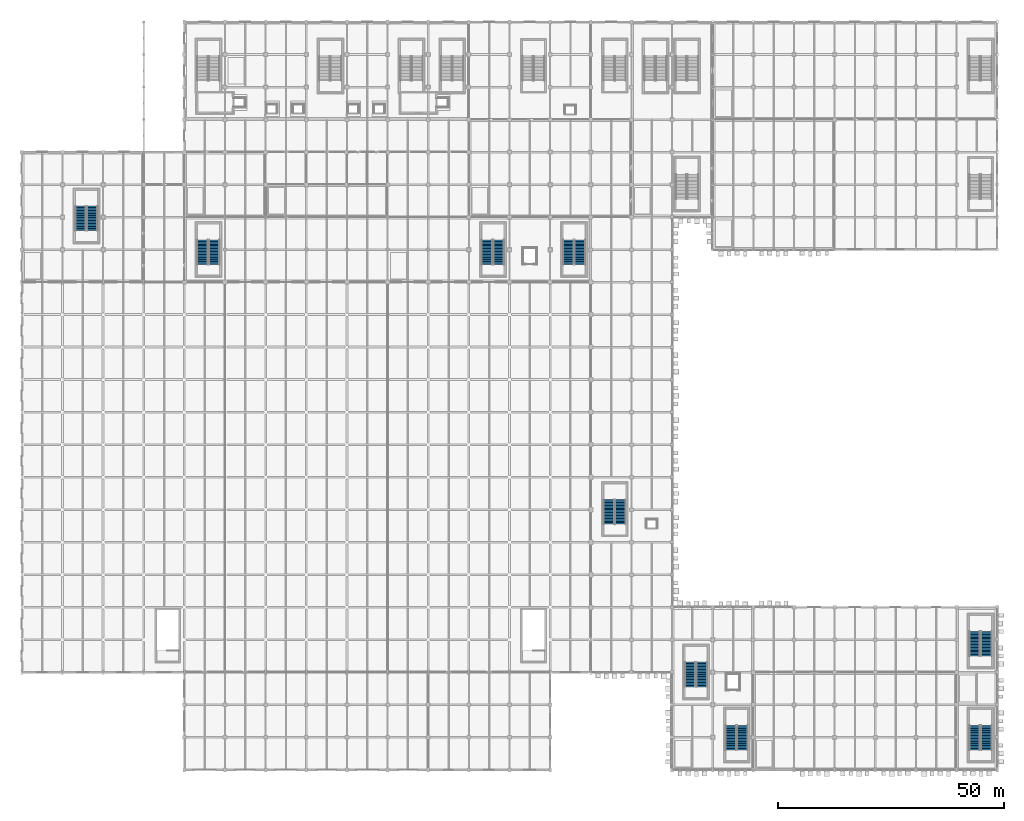
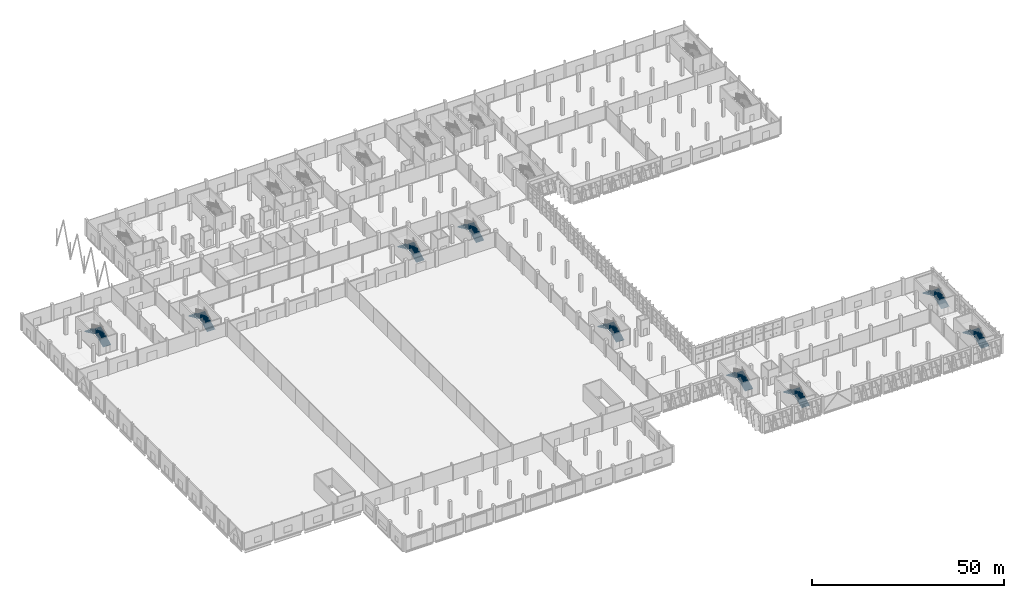
# One storey, part 101 of 137: 18 stair flights, 9 elements without a shape of their own.
"""IFC4 building model written with IfcOpenShell, lengths in metres."""

from ifc_helpers import new_model, si_unit, direction, frame, origin, place, context, subcontext, project, spatial, polyline, outline, extrude, material, type_object, element, aggregate, save


model = new_model("IFC4")

# Units and contexts
model_context = context("Model", 3, precision=1e-05, world=origin(), true_north=direction((0.0, 1.0)))
body_context = subcontext(model_context, "Body", "Model", "MODEL_VIEW")
ifc_project = project(units=[si_unit("LENGTHUNIT", "METRE"), si_unit("AREAUNIT", "SQUARE_METRE"), si_unit("VOLUMEUNIT", "CUBIC_METRE"), si_unit("PLANEANGLEUNIT", "RADIAN"), si_unit("MASSUNIT", "GRAM", prefix="KILO")], contexts=[model_context])

# Site, building, storey
site_placement = place(None, origin())
site = spatial("IfcSite", under=ifc_project, at=site_placement, CompositionType="ELEMENT")
building_placement = place(site_placement, origin())
building = spatial("IfcBuilding", under=site, at=building_placement, Name="Celestram Park Convention Centre", CompositionType="ELEMENT")
storey_placement = place(building_placement, origin())
storey = spatial("IfcBuildingStorey", under=building, at=storey_placement, Name="L00", CompositionType="ELEMENT", Elevation=0.0)

# Stair, stair flights
ifc_material = material(Name="Precast Concrete C40/50", Category="concrete")
stair_type = type_object("IfcStairType", Name="ARC-STR-DOG54", PredefinedType="HALF_TURN_STAIR", material=ifc_material)
stair_1_placement = place(storey_placement, origin())
stair_1 = element("IfcStair", 1, at=stair_1_placement, inside=storey, type_object=stair_type, Name="L00 Core C3 stair ST-03", PredefinedType="HALF_TURN_STAIR")
stair_flight_type = type_object("IfcStairFlightType", Name="ARC-FLT-18R", PredefinedType="STRAIGHT", material=ifc_material)
stair_flight_1_placement = place(storey_placement, frame((105.60009765625, 111.89990234375, 0.0), z_axis=(0.0, 0.0, 1.0), x_axis=(0.0, 1.0, 0.0)))
stair_flight_1 = element("IfcStairFlight", 2, at=stair_flight_1_placement, type_object=stair_flight_type, Name="ST-03 flight 1", NumberOfRisers=18, NumberOfTreads=17, PredefinedType="STRAIGHT", RiserHeight=0.15, TreadLength=0.32, context=body_context, shape_type="SweptSolid", body=[
    extrude(outline(polyline([(0.0, 0.0), (0.0, 0.14990234375), (0.320068359375, 0.14990234375), (0.320068359375, 0.300048828125), (0.639892578125, 0.300048828125), (0.639892578125, 0.449951171875), (0.9599609375, 0.449951171875), (0.9599609375, 0.60009765625), (1.280029296875, 0.60009765625), (1.280029296875, 0.75), (1.60009765625, 0.75), (1.60009765625, 0.89990234375), (1.919921875, 0.89990234375), (1.919921875, 1.050048828125), (2.239990234375, 1.050048828125), (2.239990234375, 1.199951171875), (2.56005859375, 1.199951171875), (2.56005859375, 1.35009765625), (2.8798828125, 1.35009765625), (2.8798828125, 1.5), (3.199951171875, 1.5), (3.199951171875, 1.64990234375), (3.52001953125, 1.64990234375), (3.52001953125, 1.800048828125), (3.840087890625, 1.800048828125), (3.840087890625, 1.949951171875), (4.159912109375, 1.949951171875), (4.159912109375, 2.10009765625), (4.47998046875, 2.10009765625), (4.47998046875, 2.25), (4.800048828125, 2.25), (4.800048828125, 2.39990234375), (5.1201171875, 2.39990234375), (5.1201171875, 2.550048828125), (5.43994140625, 2.550048828125), (5.43994140625, 2.699951171875), (5.43994140625, 2.384521484375), (0.353271484375, 0.0), (0.0, 0.0)])), frame((0.0, 1.199951171875, 0.0), z_axis=(0.0, -1.0, 0.0), x_axis=(1.0, 0.0, 0.0)), (0.0, 0.0, 1.0), 2.39990234375),
])
stair_flight_2_placement = place(storey_placement, frame((103.0400390625, 117.340087890625, 2.699951171875), z_axis=(0.0, 0.0, 1.0), x_axis=(0.0, -1.0, 0.0)))
stair_flight_2 = element("IfcStairFlight", 3, at=stair_flight_2_placement, type_object=stair_flight_type, Name="ST-03 flight 2", NumberOfRisers=18, NumberOfTreads=17, PredefinedType="STRAIGHT", RiserHeight=0.15, TreadLength=0.32, context=body_context, shape_type="SweptSolid", body=[
    extrude(outline(polyline([(0.0, 0.0), (0.0, 0.14990234375), (0.320068359375, 0.14990234375), (0.320068359375, 0.300048828125), (0.639892578125, 0.300048828125), (0.639892578125, 0.449951171875), (0.9599609375, 0.449951171875), (0.9599609375, 0.60009765625), (1.280029296875, 0.60009765625), (1.280029296875, 0.75), (1.60009765625, 0.75), (1.60009765625, 0.89990234375), (1.919921875, 0.89990234375), (1.919921875, 1.050048828125), (2.239990234375, 1.050048828125), (2.239990234375, 1.199951171875), (2.56005859375, 1.199951171875), (2.56005859375, 1.35009765625), (2.8798828125, 1.35009765625), (2.8798828125, 1.5), (3.199951171875, 1.5), (3.199951171875, 1.64990234375), (3.52001953125, 1.64990234375), (3.52001953125, 1.800048828125), (3.840087890625, 1.800048828125), (3.840087890625, 1.949951171875), (4.159912109375, 1.949951171875), (4.159912109375, 2.10009765625), (4.47998046875, 2.10009765625), (4.47998046875, 2.25), (4.800048828125, 2.25), (4.800048828125, 2.39990234375), (5.1201171875, 2.39990234375), (5.1201171875, 2.550048828125), (5.43994140625, 2.550048828125), (5.43994140625, 2.699951171875), (5.43994140625, 2.384521484375), (0.353271484375, 0.0), (0.0, 0.0)])), frame((0.0, 1.199951171875, 0.0), z_axis=(0.0, -1.0, 0.0), x_axis=(1.0, 0.0, 0.0)), (0.0, 0.0, 1.0), 2.39990234375),
])
aggregate(stair_1, [stair_flight_1, stair_flight_2])

stair_2_placement = place(storey_placement, origin())
stair_2 = element("IfcStair", 4, at=stair_2_placement, inside=storey, type_object=stair_type, Name="L00 Core C4 stair ST-04", PredefinedType="HALF_TURN_STAIR")
stair_flight_3_placement = place(storey_placement, frame((132.60009765625, 54.39990234375, 0.0), z_axis=(0.0, 0.0, 1.0), x_axis=(0.0, 1.0, 0.0)))
stair_flight_3 = element("IfcStairFlight", 5, at=stair_flight_3_placement, type_object=stair_flight_type, Name="ST-04 flight 1", NumberOfRisers=18, NumberOfTreads=17, PredefinedType="STRAIGHT", RiserHeight=0.15, TreadLength=0.32, context=body_context, shape_type="SweptSolid", body=[
    extrude(outline(polyline([(0.0, 0.0), (0.0, 0.14990234375), (0.320068359375, 0.14990234375), (0.320068359375, 0.300048828125), (0.639892578125, 0.300048828125), (0.639892578125, 0.449951171875), (0.9599609375, 0.449951171875), (0.9599609375, 0.60009765625), (1.280029296875, 0.60009765625), (1.280029296875, 0.75), (1.60009765625, 0.75), (1.60009765625, 0.89990234375), (1.919921875, 0.89990234375), (1.919921875, 1.050048828125), (2.239990234375, 1.050048828125), (2.239990234375, 1.199951171875), (2.56005859375, 1.199951171875), (2.56005859375, 1.35009765625), (2.8798828125, 1.35009765625), (2.8798828125, 1.5), (3.199951171875, 1.5), (3.199951171875, 1.64990234375), (3.52001953125, 1.64990234375), (3.52001953125, 1.800048828125), (3.840087890625, 1.800048828125), (3.840087890625, 1.949951171875), (4.159912109375, 1.949951171875), (4.159912109375, 2.10009765625), (4.47998046875, 2.10009765625), (4.47998046875, 2.25), (4.800048828125, 2.25), (4.800048828125, 2.39990234375), (5.1201171875, 2.39990234375), (5.1201171875, 2.550048828125), (5.43994140625, 2.550048828125), (5.43994140625, 2.699951171875), (5.43994140625, 2.384521484375), (0.353271484375, 0.0), (0.0, 0.0)])), frame((0.0, 1.199951171875, 0.0), z_axis=(0.0, -1.0, 0.0), x_axis=(1.0, 0.0, 0.0)), (0.0, 0.0, 1.0), 2.39990234375),
])
stair_flight_4_placement = place(storey_placement, frame((130.0400390625, 59.840087890625, 2.699951171875), z_axis=(0.0, 0.0, 1.0), x_axis=(0.0, -1.0, 0.0)))
stair_flight_4 = element("IfcStairFlight", 6, at=stair_flight_4_placement, type_object=stair_flight_type, Name="ST-04 flight 2", NumberOfRisers=18, NumberOfTreads=17, PredefinedType="STRAIGHT", RiserHeight=0.15, TreadLength=0.32, context=body_context, shape_type="SweptSolid", body=[
    extrude(outline(polyline([(0.0, 0.0), (0.0, 0.14990234375), (0.320068359375, 0.14990234375), (0.320068359375, 0.300048828125), (0.639892578125, 0.300048828125), (0.639892578125, 0.449951171875), (0.9599609375, 0.449951171875), (0.9599609375, 0.60009765625), (1.280029296875, 0.60009765625), (1.280029296875, 0.75), (1.60009765625, 0.75), (1.60009765625, 0.89990234375), (1.919921875, 0.89990234375), (1.919921875, 1.050048828125), (2.239990234375, 1.050048828125), (2.239990234375, 1.199951171875), (2.56005859375, 1.199951171875), (2.56005859375, 1.35009765625), (2.8798828125, 1.35009765625), (2.8798828125, 1.5), (3.199951171875, 1.5), (3.199951171875, 1.64990234375), (3.52001953125, 1.64990234375), (3.52001953125, 1.800048828125), (3.840087890625, 1.800048828125), (3.840087890625, 1.949951171875), (4.159912109375, 1.949951171875), (4.159912109375, 2.10009765625), (4.47998046875, 2.10009765625), (4.47998046875, 2.25), (4.800048828125, 2.25), (4.800048828125, 2.39990234375), (5.1201171875, 2.39990234375), (5.1201171875, 2.550048828125), (5.43994140625, 2.550048828125), (5.43994140625, 2.699951171875), (5.43994140625, 2.384521484375), (0.353271484375, 0.0), (0.0, 0.0)])), frame((0.0, 1.199951171875, 0.0), z_axis=(0.0, -1.0, 0.0), x_axis=(1.0, 0.0, 0.0)), (0.0, 0.0, 1.0), 2.39990234375),
])
aggregate(stair_2, [stair_flight_3, stair_flight_4])

stair_3_placement = place(storey_placement, origin())
stair_3 = element("IfcStair", 7, at=stair_3_placement, inside=storey, type_object=stair_type, Name="L00 Core C6 stair ST-06", PredefinedType="HALF_TURN_STAIR")
stair_flight_5_placement = place(storey_placement, frame((150.60009765625, 18.39990234375, 0.0), z_axis=(0.0, 0.0, 1.0), x_axis=(0.0, 1.0, 0.0)))
stair_flight_5 = element("IfcStairFlight", 8, at=stair_flight_5_placement, type_object=stair_flight_type, Name="ST-06 flight 1", NumberOfRisers=18, NumberOfTreads=17, PredefinedType="STRAIGHT", RiserHeight=0.15, TreadLength=0.32, context=body_context, shape_type="SweptSolid", body=[
    extrude(outline(polyline([(0.0, 0.0), (0.0, 0.14990234375), (0.320068359375, 0.14990234375), (0.320068359375, 0.300048828125), (0.639892578125, 0.300048828125), (0.639892578125, 0.449951171875), (0.9599609375, 0.449951171875), (0.9599609375, 0.60009765625), (1.280029296875, 0.60009765625), (1.280029296875, 0.75), (1.60009765625, 0.75), (1.60009765625, 0.89990234375), (1.919921875, 0.89990234375), (1.919921875, 1.050048828125), (2.239990234375, 1.050048828125), (2.239990234375, 1.199951171875), (2.56005859375, 1.199951171875), (2.56005859375, 1.35009765625), (2.8798828125, 1.35009765625), (2.8798828125, 1.5), (3.199951171875, 1.5), (3.199951171875, 1.64990234375), (3.52001953125, 1.64990234375), (3.52001953125, 1.800048828125), (3.840087890625, 1.800048828125), (3.840087890625, 1.949951171875), (4.159912109375, 1.949951171875), (4.159912109375, 2.10009765625), (4.47998046875, 2.10009765625), (4.47998046875, 2.25), (4.800048828125, 2.25), (4.800048828125, 2.39990234375), (5.1201171875, 2.39990234375), (5.1201171875, 2.550048828125), (5.43994140625, 2.550048828125), (5.43994140625, 2.699951171875), (5.43994140625, 2.384521484375), (0.353271484375, 0.0), (0.0, 0.0)])), frame((0.0, 1.199951171875, 0.0), z_axis=(0.0, -1.0, 0.0), x_axis=(1.0, 0.0, 0.0)), (0.0, 0.0, 1.0), 2.39990234375),
])
stair_flight_6_placement = place(storey_placement, frame((148.0400390625, 23.840087890625, 2.699951171875), z_axis=(0.0, 0.0, 1.0), x_axis=(0.0, -1.0, 0.0)))
stair_flight_6 = element("IfcStairFlight", 9, at=stair_flight_6_placement, type_object=stair_flight_type, Name="ST-06 flight 2", NumberOfRisers=18, NumberOfTreads=17, PredefinedType="STRAIGHT", RiserHeight=0.15, TreadLength=0.32, context=body_context, shape_type="SweptSolid", body=[
    extrude(outline(polyline([(0.0, 0.0), (0.0, 0.14990234375), (0.320068359375, 0.14990234375), (0.320068359375, 0.300048828125), (0.639892578125, 0.300048828125), (0.639892578125, 0.449951171875), (0.9599609375, 0.449951171875), (0.9599609375, 0.60009765625), (1.280029296875, 0.60009765625), (1.280029296875, 0.75), (1.60009765625, 0.75), (1.60009765625, 0.89990234375), (1.919921875, 0.89990234375), (1.919921875, 1.050048828125), (2.239990234375, 1.050048828125), (2.239990234375, 1.199951171875), (2.56005859375, 1.199951171875), (2.56005859375, 1.35009765625), (2.8798828125, 1.35009765625), (2.8798828125, 1.5), (3.199951171875, 1.5), (3.199951171875, 1.64990234375), (3.52001953125, 1.64990234375), (3.52001953125, 1.800048828125), (3.840087890625, 1.800048828125), (3.840087890625, 1.949951171875), (4.159912109375, 1.949951171875), (4.159912109375, 2.10009765625), (4.47998046875, 2.10009765625), (4.47998046875, 2.25), (4.800048828125, 2.25), (4.800048828125, 2.39990234375), (5.1201171875, 2.39990234375), (5.1201171875, 2.550048828125), (5.43994140625, 2.550048828125), (5.43994140625, 2.699951171875), (5.43994140625, 2.384521484375), (0.353271484375, 0.0), (0.0, 0.0)])), frame((0.0, 1.199951171875, 0.0), z_axis=(0.0, -1.0, 0.0), x_axis=(1.0, 0.0, 0.0)), (0.0, 0.0, 1.0), 2.39990234375),
])
aggregate(stair_3, [stair_flight_5, stair_flight_6])

stair_4_placement = place(storey_placement, origin())
stair_4 = element("IfcStair", 10, at=stair_4_placement, inside=storey, type_object=stair_type, Name="L00 Core S11 stair ST-11", PredefinedType="HALF_TURN_STAIR")
stair_flight_7_placement = place(storey_placement, frame((213.60009765625, 4.39990234375, 0.0), z_axis=(0.0, 0.0, 1.0), x_axis=(0.0, 1.0, 0.0)))
stair_flight_7 = element("IfcStairFlight", 11, at=stair_flight_7_placement, type_object=stair_flight_type, Name="ST-11 flight 1", NumberOfRisers=18, NumberOfTreads=17, PredefinedType="STRAIGHT", RiserHeight=0.15, TreadLength=0.32, context=body_context, shape_type="SweptSolid", body=[
    extrude(outline(polyline([(0.0, 0.0), (0.0, 0.14990234375), (0.320068359375, 0.14990234375), (0.320068359375, 0.300048828125), (0.639892578125, 0.300048828125), (0.639892578125, 0.449951171875), (0.9599609375, 0.449951171875), (0.9599609375, 0.60009765625), (1.280029296875, 0.60009765625), (1.280029296875, 0.75), (1.60009765625, 0.75), (1.60009765625, 0.89990234375), (1.919921875, 0.89990234375), (1.919921875, 1.050048828125), (2.239990234375, 1.050048828125), (2.239990234375, 1.199951171875), (2.56005859375, 1.199951171875), (2.56005859375, 1.35009765625), (2.8798828125, 1.35009765625), (2.8798828125, 1.5), (3.199951171875, 1.5), (3.199951171875, 1.64990234375), (3.52001953125, 1.64990234375), (3.52001953125, 1.800048828125), (3.840087890625, 1.800048828125), (3.840087890625, 1.949951171875), (4.159912109375, 1.949951171875), (4.159912109375, 2.10009765625), (4.47998046875, 2.10009765625), (4.47998046875, 2.25), (4.800048828125, 2.25), (4.800048828125, 2.39990234375), (5.1201171875, 2.39990234375), (5.1201171875, 2.550048828125), (5.43994140625, 2.550048828125), (5.43994140625, 2.699951171875), (5.43994140625, 2.384521484375), (0.353271484375, 0.0), (0.0, 0.0)])), frame((0.0, 1.199951171875, 0.0), z_axis=(0.0, -1.0, 0.0), x_axis=(1.0, 0.0, 0.0)), (0.0, 0.0, 1.0), 2.39990234375),
])
stair_flight_8_placement = place(storey_placement, frame((211.0400390625, 9.840087890625, 2.699951171875), z_axis=(0.0, 0.0, 1.0), x_axis=(0.0, -1.0, 0.0)))
stair_flight_8 = element("IfcStairFlight", 12, at=stair_flight_8_placement, type_object=stair_flight_type, Name="ST-11 flight 2", NumberOfRisers=18, NumberOfTreads=17, PredefinedType="STRAIGHT", RiserHeight=0.15, TreadLength=0.32, context=body_context, shape_type="SweptSolid", body=[
    extrude(outline(polyline([(0.0, 0.0), (0.0, 0.14990234375), (0.320068359375, 0.14990234375), (0.320068359375, 0.300048828125), (0.639892578125, 0.300048828125), (0.639892578125, 0.449951171875), (0.9599609375, 0.449951171875), (0.9599609375, 0.60009765625), (1.280029296875, 0.60009765625), (1.280029296875, 0.75), (1.60009765625, 0.75), (1.60009765625, 0.89990234375), (1.919921875, 0.89990234375), (1.919921875, 1.050048828125), (2.239990234375, 1.050048828125), (2.239990234375, 1.199951171875), (2.56005859375, 1.199951171875), (2.56005859375, 1.35009765625), (2.8798828125, 1.35009765625), (2.8798828125, 1.5), (3.199951171875, 1.5), (3.199951171875, 1.64990234375), (3.52001953125, 1.64990234375), (3.52001953125, 1.800048828125), (3.840087890625, 1.800048828125), (3.840087890625, 1.949951171875), (4.159912109375, 1.949951171875), (4.159912109375, 2.10009765625), (4.47998046875, 2.10009765625), (4.47998046875, 2.25), (4.800048828125, 2.25), (4.800048828125, 2.39990234375), (5.1201171875, 2.39990234375), (5.1201171875, 2.550048828125), (5.43994140625, 2.550048828125), (5.43994140625, 2.699951171875), (5.43994140625, 2.384521484375), (0.353271484375, 0.0), (0.0, 0.0)])), frame((0.0, 1.199951171875, 0.0), z_axis=(0.0, -1.0, 0.0), x_axis=(1.0, 0.0, 0.0)), (0.0, 0.0, 1.0), 2.39990234375),
])
aggregate(stair_4, [stair_flight_7, stair_flight_8])

stair_5_placement = place(storey_placement, origin())
stair_5 = element("IfcStair", 13, at=stair_5_placement, inside=storey, type_object=stair_type, Name="L00 Core S12 stair ST-12", PredefinedType="HALF_TURN_STAIR")
stair_flight_9_placement = place(storey_placement, frame((213.60009765625, 25.199951171875, 0.0), z_axis=(0.0, 0.0, 1.0), x_axis=(0.0, 1.0, 0.0)))
stair_flight_9 = element("IfcStairFlight", 14, at=stair_flight_9_placement, type_object=stair_flight_type, Name="ST-12 flight 1", NumberOfRisers=18, NumberOfTreads=17, PredefinedType="STRAIGHT", RiserHeight=0.15, TreadLength=0.32, context=body_context, shape_type="SweptSolid", body=[
    extrude(outline(polyline([(0.0, 0.0), (0.0, 0.14990234375), (0.320068359375, 0.14990234375), (0.320068359375, 0.300048828125), (0.639892578125, 0.300048828125), (0.639892578125, 0.449951171875), (0.9599609375, 0.449951171875), (0.9599609375, 0.60009765625), (1.280029296875, 0.60009765625), (1.280029296875, 0.75), (1.60009765625, 0.75), (1.60009765625, 0.89990234375), (1.919921875, 0.89990234375), (1.919921875, 1.050048828125), (2.239990234375, 1.050048828125), (2.239990234375, 1.199951171875), (2.56005859375, 1.199951171875), (2.56005859375, 1.35009765625), (2.8798828125, 1.35009765625), (2.8798828125, 1.5), (3.199951171875, 1.5), (3.199951171875, 1.64990234375), (3.52001953125, 1.64990234375), (3.52001953125, 1.800048828125), (3.840087890625, 1.800048828125), (3.840087890625, 1.949951171875), (4.159912109375, 1.949951171875), (4.159912109375, 2.10009765625), (4.47998046875, 2.10009765625), (4.47998046875, 2.25), (4.800048828125, 2.25), (4.800048828125, 2.39990234375), (5.1201171875, 2.39990234375), (5.1201171875, 2.550048828125), (5.43994140625, 2.550048828125), (5.43994140625, 2.699951171875), (5.43994140625, 2.384521484375), (0.353271484375, 0.0), (0.0, 0.0)])), frame((0.0, 1.199951171875, 0.0), z_axis=(0.0, -1.0, 0.0), x_axis=(1.0, 0.0, 0.0)), (0.0, 0.0, 1.0), 2.39990234375),
])
stair_flight_10_placement = place(storey_placement, frame((211.0400390625, 30.639892578125, 2.699951171875), z_axis=(0.0, 0.0, 1.0), x_axis=(0.0, -1.0, 0.0)))
stair_flight_10 = element("IfcStairFlight", 15, at=stair_flight_10_placement, type_object=stair_flight_type, Name="ST-12 flight 2", NumberOfRisers=18, NumberOfTreads=17, PredefinedType="STRAIGHT", RiserHeight=0.15, TreadLength=0.32, context=body_context, shape_type="SweptSolid", body=[
    extrude(outline(polyline([(0.0, 0.0), (0.0, 0.14990234375), (0.320068359375, 0.14990234375), (0.320068359375, 0.300048828125), (0.639892578125, 0.300048828125), (0.639892578125, 0.449951171875), (0.9599609375, 0.449951171875), (0.9599609375, 0.60009765625), (1.280029296875, 0.60009765625), (1.280029296875, 0.75), (1.60009765625, 0.75), (1.60009765625, 0.89990234375), (1.919921875, 0.89990234375), (1.919921875, 1.050048828125), (2.239990234375, 1.050048828125), (2.239990234375, 1.199951171875), (2.56005859375, 1.199951171875), (2.56005859375, 1.35009765625), (2.8798828125, 1.35009765625), (2.8798828125, 1.5), (3.199951171875, 1.5), (3.199951171875, 1.64990234375), (3.52001953125, 1.64990234375), (3.52001953125, 1.800048828125), (3.840087890625, 1.800048828125), (3.840087890625, 1.949951171875), (4.159912109375, 1.949951171875), (4.159912109375, 2.10009765625), (4.47998046875, 2.10009765625), (4.47998046875, 2.25), (4.800048828125, 2.25), (4.800048828125, 2.39990234375), (5.1201171875, 2.39990234375), (5.1201171875, 2.550048828125), (5.43994140625, 2.550048828125), (5.43994140625, 2.699951171875), (5.43994140625, 2.384521484375), (0.353271484375, 0.0), (0.0, 0.0)])), frame((0.0, 1.199951171875, 0.0), z_axis=(0.0, -1.0, 0.0), x_axis=(1.0, 0.0, 0.0)), (0.0, 0.0, 1.0), 2.39990234375),
])
aggregate(stair_5, [stair_flight_9, stair_flight_10])

stair_6_placement = place(storey_placement, origin())
stair_6 = element("IfcStair", 16, at=stair_6_placement, inside=storey, type_object=stair_type, Name="L00 Core S13 stair ST-13", PredefinedType="HALF_TURN_STAIR")
stair_flight_11_placement = place(storey_placement, frame((42.60009765625, 111.89990234375, 0.0), z_axis=(0.0, 0.0, 1.0), x_axis=(0.0, 1.0, 0.0)))
stair_flight_11 = element("IfcStairFlight", 17, at=stair_flight_11_placement, type_object=stair_flight_type, Name="ST-13 flight 1", NumberOfRisers=18, NumberOfTreads=17, PredefinedType="STRAIGHT", RiserHeight=0.15, TreadLength=0.32, context=body_context, shape_type="SweptSolid", body=[
    extrude(outline(polyline([(0.0, 0.0), (0.0, 0.14990234375), (0.320068359375, 0.14990234375), (0.320068359375, 0.300048828125), (0.639892578125, 0.300048828125), (0.639892578125, 0.449951171875), (0.9599609375, 0.449951171875), (0.9599609375, 0.60009765625), (1.280029296875, 0.60009765625), (1.280029296875, 0.75), (1.60009765625, 0.75), (1.60009765625, 0.89990234375), (1.919921875, 0.89990234375), (1.919921875, 1.050048828125), (2.239990234375, 1.050048828125), (2.239990234375, 1.199951171875), (2.56005859375, 1.199951171875), (2.56005859375, 1.35009765625), (2.8798828125, 1.35009765625), (2.8798828125, 1.5), (3.199951171875, 1.5), (3.199951171875, 1.64990234375), (3.52001953125, 1.64990234375), (3.52001953125, 1.800048828125), (3.840087890625, 1.800048828125), (3.840087890625, 1.949951171875), (4.159912109375, 1.949951171875), (4.159912109375, 2.10009765625), (4.47998046875, 2.10009765625), (4.47998046875, 2.25), (4.800048828125, 2.25), (4.800048828125, 2.39990234375), (5.1201171875, 2.39990234375), (5.1201171875, 2.550048828125), (5.43994140625, 2.550048828125), (5.43994140625, 2.699951171875), (5.43994140625, 2.384521484375), (0.353271484375, 0.0), (0.0, 0.0)])), frame((0.0, 1.199951171875, 0.0), z_axis=(0.0, -1.0, 0.0), x_axis=(1.0, 0.0, 0.0)), (0.0, 0.0, 1.0), 2.39990234375),
])
stair_flight_12_placement = place(storey_placement, frame((40.0400390625, 117.340087890625, 2.699951171875), z_axis=(0.0, 0.0, 1.0), x_axis=(0.0, -1.0, 0.0)))
stair_flight_12 = element("IfcStairFlight", 18, at=stair_flight_12_placement, type_object=stair_flight_type, Name="ST-13 flight 2", NumberOfRisers=18, NumberOfTreads=17, PredefinedType="STRAIGHT", RiserHeight=0.15, TreadLength=0.32, context=body_context, shape_type="SweptSolid", body=[
    extrude(outline(polyline([(0.0, 0.0), (0.0, 0.14990234375), (0.320068359375, 0.14990234375), (0.320068359375, 0.300048828125), (0.639892578125, 0.300048828125), (0.639892578125, 0.449951171875), (0.9599609375, 0.449951171875), (0.9599609375, 0.60009765625), (1.280029296875, 0.60009765625), (1.280029296875, 0.75), (1.60009765625, 0.75), (1.60009765625, 0.89990234375), (1.919921875, 0.89990234375), (1.919921875, 1.050048828125), (2.239990234375, 1.050048828125), (2.239990234375, 1.199951171875), (2.56005859375, 1.199951171875), (2.56005859375, 1.35009765625), (2.8798828125, 1.35009765625), (2.8798828125, 1.5), (3.199951171875, 1.5), (3.199951171875, 1.64990234375), (3.52001953125, 1.64990234375), (3.52001953125, 1.800048828125), (3.840087890625, 1.800048828125), (3.840087890625, 1.949951171875), (4.159912109375, 1.949951171875), (4.159912109375, 2.10009765625), (4.47998046875, 2.10009765625), (4.47998046875, 2.25), (4.800048828125, 2.25), (4.800048828125, 2.39990234375), (5.1201171875, 2.39990234375), (5.1201171875, 2.550048828125), (5.43994140625, 2.550048828125), (5.43994140625, 2.699951171875), (5.43994140625, 2.384521484375), (0.353271484375, 0.0), (0.0, 0.0)])), frame((0.0, 1.199951171875, 0.0), z_axis=(0.0, -1.0, 0.0), x_axis=(1.0, 0.0, 0.0)), (0.0, 0.0, 1.0), 2.39990234375),
])
aggregate(stair_6, [stair_flight_11, stair_flight_12])

stair_7_placement = place(storey_placement, origin())
stair_7 = element("IfcStair", 19, at=stair_7_placement, inside=storey, type_object=stair_type, Name="L00 Core S15 stair ST-15", PredefinedType="HALF_TURN_STAIR")
stair_flight_13_placement = place(storey_placement, frame((15.60009765625, 119.39990234375, 0.0), z_axis=(0.0, 0.0, 1.0), x_axis=(0.0, 1.0, 0.0)))
stair_flight_13 = element("IfcStairFlight", 20, at=stair_flight_13_placement, type_object=stair_flight_type, Name="ST-15 flight 1", NumberOfRisers=18, NumberOfTreads=17, PredefinedType="STRAIGHT", RiserHeight=0.15, TreadLength=0.32, context=body_context, shape_type="SweptSolid", body=[
    extrude(outline(polyline([(0.0, 0.0), (0.0, 0.14990234375), (0.320068359375, 0.14990234375), (0.320068359375, 0.300048828125), (0.639892578125, 0.300048828125), (0.639892578125, 0.449951171875), (0.9599609375, 0.449951171875), (0.9599609375, 0.60009765625), (1.280029296875, 0.60009765625), (1.280029296875, 0.75), (1.60009765625, 0.75), (1.60009765625, 0.89990234375), (1.919921875, 0.89990234375), (1.919921875, 1.050048828125), (2.239990234375, 1.050048828125), (2.239990234375, 1.199951171875), (2.56005859375, 1.199951171875), (2.56005859375, 1.35009765625), (2.8798828125, 1.35009765625), (2.8798828125, 1.5), (3.199951171875, 1.5), (3.199951171875, 1.64990234375), (3.52001953125, 1.64990234375), (3.52001953125, 1.800048828125), (3.840087890625, 1.800048828125), (3.840087890625, 1.949951171875), (4.159912109375, 1.949951171875), (4.159912109375, 2.10009765625), (4.47998046875, 2.10009765625), (4.47998046875, 2.25), (4.800048828125, 2.25), (4.800048828125, 2.39990234375), (5.1201171875, 2.39990234375), (5.1201171875, 2.550048828125), (5.43994140625, 2.550048828125), (5.43994140625, 2.699951171875), (5.43994140625, 2.384521484375), (0.353271484375, 0.0), (0.0, 0.0)])), frame((0.0, 1.199951171875, 0.0), z_axis=(0.0, -1.0, 0.0), x_axis=(1.0, 0.0, 0.0)), (0.0, 0.0, 1.0), 2.39990234375),
])
stair_flight_14_placement = place(storey_placement, frame((13.0400390625, 124.840087890625, 2.699951171875), z_axis=(0.0, 0.0, 1.0), x_axis=(0.0, -1.0, 0.0)))
stair_flight_14 = element("IfcStairFlight", 21, at=stair_flight_14_placement, type_object=stair_flight_type, Name="ST-15 flight 2", NumberOfRisers=18, NumberOfTreads=17, PredefinedType="STRAIGHT", RiserHeight=0.15, TreadLength=0.32, context=body_context, shape_type="SweptSolid", body=[
    extrude(outline(polyline([(0.0, 0.0), (0.0, 0.14990234375), (0.320068359375, 0.14990234375), (0.320068359375, 0.300048828125), (0.639892578125, 0.300048828125), (0.639892578125, 0.449951171875), (0.9599609375, 0.449951171875), (0.9599609375, 0.60009765625), (1.280029296875, 0.60009765625), (1.280029296875, 0.75), (1.60009765625, 0.75), (1.60009765625, 0.89990234375), (1.919921875, 0.89990234375), (1.919921875, 1.050048828125), (2.239990234375, 1.050048828125), (2.239990234375, 1.199951171875), (2.56005859375, 1.199951171875), (2.56005859375, 1.35009765625), (2.8798828125, 1.35009765625), (2.8798828125, 1.5), (3.199951171875, 1.5), (3.199951171875, 1.64990234375), (3.52001953125, 1.64990234375), (3.52001953125, 1.800048828125), (3.840087890625, 1.800048828125), (3.840087890625, 1.949951171875), (4.159912109375, 1.949951171875), (4.159912109375, 2.10009765625), (4.47998046875, 2.10009765625), (4.47998046875, 2.25), (4.800048828125, 2.25), (4.800048828125, 2.39990234375), (5.1201171875, 2.39990234375), (5.1201171875, 2.550048828125), (5.43994140625, 2.550048828125), (5.43994140625, 2.699951171875), (5.43994140625, 2.384521484375), (0.353271484375, 0.0), (0.0, 0.0)])), frame((0.0, 1.199951171875, 0.0), z_axis=(0.0, -1.0, 0.0), x_axis=(1.0, 0.0, 0.0)), (0.0, 0.0, 1.0), 2.39990234375),
])
aggregate(stair_7, [stair_flight_13, stair_flight_14])

stair_8_placement = place(storey_placement, origin())
stair_8 = element("IfcStair", 22, at=stair_8_placement, inside=storey, type_object=stair_type, Name="L00 Core S20 stair ST-20", PredefinedType="HALF_TURN_STAIR")
stair_flight_15_placement = place(storey_placement, frame((123.60009765625, 111.89990234375, 0.0), z_axis=(0.0, 0.0, 1.0), x_axis=(0.0, 1.0, 0.0)))
stair_flight_15 = element("IfcStairFlight", 23, at=stair_flight_15_placement, type_object=stair_flight_type, Name="ST-20 flight 1", NumberOfRisers=18, NumberOfTreads=17, PredefinedType="STRAIGHT", RiserHeight=0.15, TreadLength=0.32, context=body_context, shape_type="SweptSolid", body=[
    extrude(outline(polyline([(0.0, 0.0), (0.0, 0.14990234375), (0.320068359375, 0.14990234375), (0.320068359375, 0.300048828125), (0.639892578125, 0.300048828125), (0.639892578125, 0.449951171875), (0.9599609375, 0.449951171875), (0.9599609375, 0.60009765625), (1.280029296875, 0.60009765625), (1.280029296875, 0.75), (1.60009765625, 0.75), (1.60009765625, 0.89990234375), (1.919921875, 0.89990234375), (1.919921875, 1.050048828125), (2.239990234375, 1.050048828125), (2.239990234375, 1.199951171875), (2.56005859375, 1.199951171875), (2.56005859375, 1.35009765625), (2.8798828125, 1.35009765625), (2.8798828125, 1.5), (3.199951171875, 1.5), (3.199951171875, 1.64990234375), (3.52001953125, 1.64990234375), (3.52001953125, 1.800048828125), (3.840087890625, 1.800048828125), (3.840087890625, 1.949951171875), (4.159912109375, 1.949951171875), (4.159912109375, 2.10009765625), (4.47998046875, 2.10009765625), (4.47998046875, 2.25), (4.800048828125, 2.25), (4.800048828125, 2.39990234375), (5.1201171875, 2.39990234375), (5.1201171875, 2.550048828125), (5.43994140625, 2.550048828125), (5.43994140625, 2.699951171875), (5.43994140625, 2.384521484375), (0.353271484375, 0.0), (0.0, 0.0)])), frame((0.0, 1.199951171875, 0.0), z_axis=(0.0, -1.0, 0.0), x_axis=(1.0, 0.0, 0.0)), (0.0, 0.0, 1.0), 2.39990234375),
])
stair_flight_16_placement = place(storey_placement, frame((121.0400390625, 117.340087890625, 2.699951171875), z_axis=(0.0, 0.0, 1.0), x_axis=(0.0, -1.0, 0.0)))
stair_flight_16 = element("IfcStairFlight", 24, at=stair_flight_16_placement, type_object=stair_flight_type, Name="ST-20 flight 2", NumberOfRisers=18, NumberOfTreads=17, PredefinedType="STRAIGHT", RiserHeight=0.15, TreadLength=0.32, context=body_context, shape_type="SweptSolid", body=[
    extrude(outline(polyline([(0.0, 0.0), (0.0, 0.14990234375), (0.320068359375, 0.14990234375), (0.320068359375, 0.300048828125), (0.639892578125, 0.300048828125), (0.639892578125, 0.449951171875), (0.9599609375, 0.449951171875), (0.9599609375, 0.60009765625), (1.280029296875, 0.60009765625), (1.280029296875, 0.75), (1.60009765625, 0.75), (1.60009765625, 0.89990234375), (1.919921875, 0.89990234375), (1.919921875, 1.050048828125), (2.239990234375, 1.050048828125), (2.239990234375, 1.199951171875), (2.56005859375, 1.199951171875), (2.56005859375, 1.35009765625), (2.8798828125, 1.35009765625), (2.8798828125, 1.5), (3.199951171875, 1.5), (3.199951171875, 1.64990234375), (3.52001953125, 1.64990234375), (3.52001953125, 1.800048828125), (3.840087890625, 1.800048828125), (3.840087890625, 1.949951171875), (4.159912109375, 1.949951171875), (4.159912109375, 2.10009765625), (4.47998046875, 2.10009765625), (4.47998046875, 2.25), (4.800048828125, 2.25), (4.800048828125, 2.39990234375), (5.1201171875, 2.39990234375), (5.1201171875, 2.550048828125), (5.43994140625, 2.550048828125), (5.43994140625, 2.699951171875), (5.43994140625, 2.384521484375), (0.353271484375, 0.0), (0.0, 0.0)])), frame((0.0, 1.199951171875, 0.0), z_axis=(0.0, -1.0, 0.0), x_axis=(1.0, 0.0, 0.0)), (0.0, 0.0, 1.0), 2.39990234375),
])
aggregate(stair_8, [stair_flight_15, stair_flight_16])

stair_9_placement = place(storey_placement, origin())
stair_9 = element("IfcStair", 25, at=stair_9_placement, inside=storey, type_object=stair_type, Name="L00 Core S21 stair ST-21", PredefinedType="HALF_TURN_STAIR")
stair_flight_17_placement = place(storey_placement, frame((159.60009765625, 4.39990234375, 0.0), z_axis=(0.0, 0.0, 1.0), x_axis=(0.0, 1.0, 0.0)))
stair_flight_17 = element("IfcStairFlight", 26, at=stair_flight_17_placement, type_object=stair_flight_type, Name="ST-21 flight 1", NumberOfRisers=18, NumberOfTreads=17, PredefinedType="STRAIGHT", RiserHeight=0.15, TreadLength=0.32, context=body_context, shape_type="SweptSolid", body=[
    extrude(outline(polyline([(0.0, 0.0), (0.0, 0.14990234375), (0.320068359375, 0.14990234375), (0.320068359375, 0.300048828125), (0.639892578125, 0.300048828125), (0.639892578125, 0.449951171875), (0.9599609375, 0.449951171875), (0.9599609375, 0.60009765625), (1.280029296875, 0.60009765625), (1.280029296875, 0.75), (1.60009765625, 0.75), (1.60009765625, 0.89990234375), (1.919921875, 0.89990234375), (1.919921875, 1.050048828125), (2.239990234375, 1.050048828125), (2.239990234375, 1.199951171875), (2.56005859375, 1.199951171875), (2.56005859375, 1.35009765625), (2.8798828125, 1.35009765625), (2.8798828125, 1.5), (3.199951171875, 1.5), (3.199951171875, 1.64990234375), (3.52001953125, 1.64990234375), (3.52001953125, 1.800048828125), (3.840087890625, 1.800048828125), (3.840087890625, 1.949951171875), (4.159912109375, 1.949951171875), (4.159912109375, 2.10009765625), (4.47998046875, 2.10009765625), (4.47998046875, 2.25), (4.800048828125, 2.25), (4.800048828125, 2.39990234375), (5.1201171875, 2.39990234375), (5.1201171875, 2.550048828125), (5.43994140625, 2.550048828125), (5.43994140625, 2.699951171875), (5.43994140625, 2.384521484375), (0.353271484375, 0.0), (0.0, 0.0)])), frame((0.0, 1.199951171875, 0.0), z_axis=(0.0, -1.0, 0.0), x_axis=(1.0, 0.0, 0.0)), (0.0, 0.0, 1.0), 2.39990234375),
])
stair_flight_18_placement = place(storey_placement, frame((157.0400390625, 9.840087890625, 2.699951171875), z_axis=(0.0, 0.0, 1.0), x_axis=(0.0, -1.0, 0.0)))
stair_flight_18 = element("IfcStairFlight", 27, at=stair_flight_18_placement, type_object=stair_flight_type, Name="ST-21 flight 2", NumberOfRisers=18, NumberOfTreads=17, PredefinedType="STRAIGHT", RiserHeight=0.15, TreadLength=0.32, context=body_context, shape_type="SweptSolid", body=[
    extrude(outline(polyline([(0.0, 0.0), (0.0, 0.14990234375), (0.320068359375, 0.14990234375), (0.320068359375, 0.300048828125), (0.639892578125, 0.300048828125), (0.639892578125, 0.449951171875), (0.9599609375, 0.449951171875), (0.9599609375, 0.60009765625), (1.280029296875, 0.60009765625), (1.280029296875, 0.75), (1.60009765625, 0.75), (1.60009765625, 0.89990234375), (1.919921875, 0.89990234375), (1.919921875, 1.050048828125), (2.239990234375, 1.050048828125), (2.239990234375, 1.199951171875), (2.56005859375, 1.199951171875), (2.56005859375, 1.35009765625), (2.8798828125, 1.35009765625), (2.8798828125, 1.5), (3.199951171875, 1.5), (3.199951171875, 1.64990234375), (3.52001953125, 1.64990234375), (3.52001953125, 1.800048828125), (3.840087890625, 1.800048828125), (3.840087890625, 1.949951171875), (4.159912109375, 1.949951171875), (4.159912109375, 2.10009765625), (4.47998046875, 2.10009765625), (4.47998046875, 2.25), (4.800048828125, 2.25), (4.800048828125, 2.39990234375), (5.1201171875, 2.39990234375), (5.1201171875, 2.550048828125), (5.43994140625, 2.550048828125), (5.43994140625, 2.699951171875), (5.43994140625, 2.384521484375), (0.353271484375, 0.0), (0.0, 0.0)])), frame((0.0, 1.199951171875, 0.0), z_axis=(0.0, -1.0, 0.0), x_axis=(1.0, 0.0, 0.0)), (0.0, 0.0, 1.0), 2.39990234375),
])
aggregate(stair_9, [stair_flight_17, stair_flight_18])

save(model, "model.ifc")
